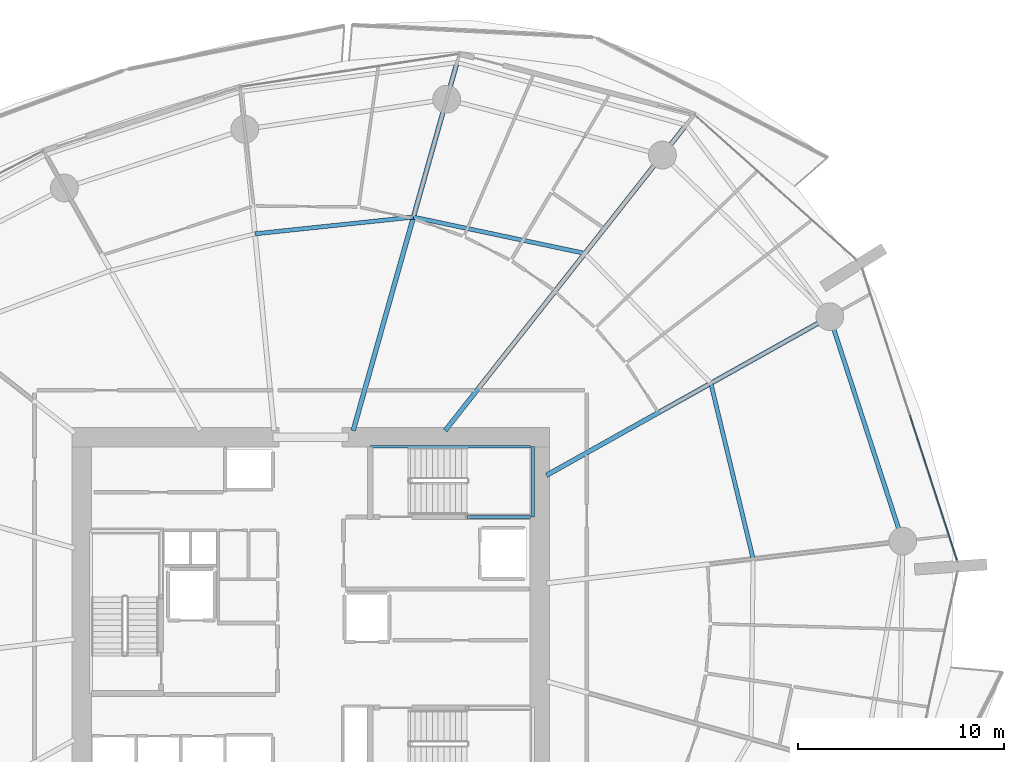
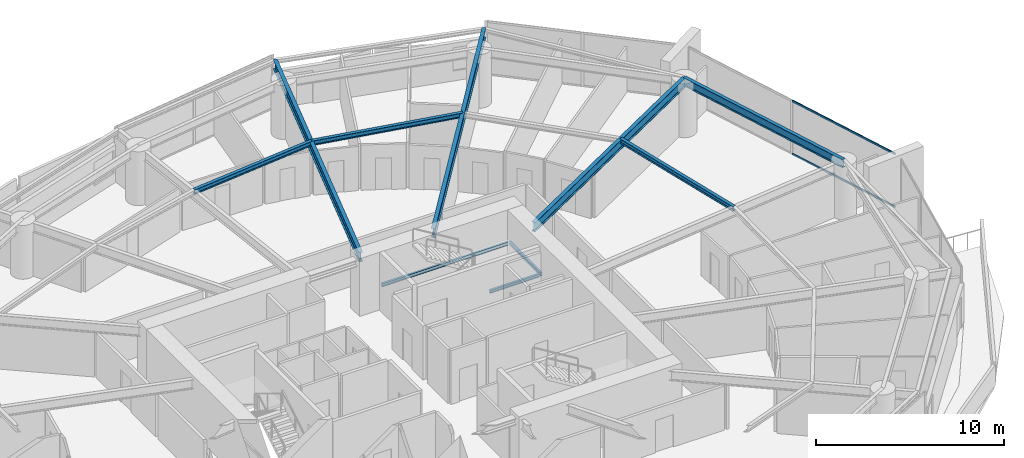
# One storey, part 14 of 31: 10 beams, 2 members, 1 element without a shape of its own.
"""IFC4 building model written with IfcOpenShell, lengths in metres."""

import ifcopenshell
import ifcopenshell.guid

model = None  # the IFC model being written
_history = None  # IfcOwnerHistory: only IFC2X3 demands one
_inside = {}  # id of a spatial element -> (the spatial element, [elements in it])
_under = {}  # id of a project, library or spatial element -> (it, [spatial elements below it])
_declared = {}  # id of a project -> (the project, [libraries it declares])
_typed = {}  # id of a type object -> (the type object, [elements of that type])
_made_of = {}  # id of a material, layer set ... -> (it, [elements and type objects made of it])


def new_model(schema):
    """Start an empty IFC model of exactly this schema.

    Asked for "IFC4X3", IfcOpenShell would pick the latest addendum, in which some entities
    have other attributes; the version numbers below select the first issue.
    IFC2X3 requires an IfcOwnerHistory on every rooted entity: one is made here for all.
    """
    global model, _history
    if schema == "IFC4X3":
        model = ifcopenshell.file(schema_version=(4, 3, 0, 0))
    else:
        model = ifcopenshell.file(schema=schema)
    _inside.clear()
    _under.clear()
    _declared.clear()
    _typed.clear()
    _made_of.clear()
    _history = None
    if model.schema == "IFC2X3":
        org = make("IfcOrganization", Name="unknown")
        user = make(
            "IfcPersonAndOrganization",
            ThePerson=make("IfcPerson", FamilyName="unknown"),
            TheOrganization=org,
        )
        app = make(
            "IfcApplication",
            ApplicationDeveloper=org,
            Version="unknown",
            ApplicationFullName="unknown",
            ApplicationIdentifier="unknown",
        )
        _history = make(
            "IfcOwnerHistory",
            OwningUser=user,
            OwningApplication=app,
            ChangeAction="ADDED",
            CreationDate=0,
        )
    return model


def make(cls, **values):
    """One entity of the class cls with the attributes given. An attribute that is None is left unset."""
    return model.create_entity(
        cls, **{name: value for name, value in values.items() if value is not None}
    )


def rooted(cls, **values):
    """An entity with a GlobalId (a new one), such as an element, a storey or a relation."""
    return make(cls, GlobalId=ifcopenshell.guid.new(), OwnerHistory=_history, **values)


def si_unit(unit_type, name, prefix=None):
    """IfcSIUnit, for example si_unit("LENGTHUNIT", "METRE", prefix="MILLI")."""
    return make("IfcSIUnit", UnitType=unit_type, Prefix=prefix, Name=name)


def assignment(units):
    """IfcUnitAssignment: the units of a project."""
    return None if units is None else make("IfcUnitAssignment", Units=units)


def point(xyz):
    """IfcCartesianPoint."""
    return None if xyz is None else make("IfcCartesianPoint", Coordinates=xyz)


def direction(xyz):
    """IfcDirection."""
    return None if xyz is None else make("IfcDirection", DirectionRatios=xyz)


def frame(location, z_axis=None, x_axis=None):
    """IfcAxis2Placement3D, a coordinate frame: its origin and axes. An axis left out is left unset."""
    return make(
        "IfcAxis2Placement3D",
        Location=point(location),
        Axis=direction(z_axis),
        RefDirection=direction(x_axis),
    )


def frame_2d(location, x_axis=None):
    """IfcAxis2Placement2D, a coordinate frame in the plane: its origin and x axis."""
    return make(
        "IfcAxis2Placement2D", Location=point(location), RefDirection=direction(x_axis)
    )


def origin():
    """The frame at (0, 0, 0) with its axes left unset."""
    return frame((0.0, 0.0, 0.0))


def origin_2d():
    """The frame at (0, 0) in the plane with its x axis left unset."""
    return frame_2d((0.0, 0.0))


def place(relative_to, where):
    """IfcLocalPlacement: puts the frame where relative to a parent placement (None: the world)."""
    return make(
        "IfcLocalPlacement", PlacementRelTo=relative_to, RelativePlacement=where
    )


def context(
    kind, dimensions, precision=None, world=None, true_north=None, identifier=None
):
    """IfcGeometricRepresentationContext, for example the 3D "Model" context."""
    return make(
        "IfcGeometricRepresentationContext",
        ContextIdentifier=identifier,
        ContextType=kind,
        CoordinateSpaceDimension=dimensions,
        Precision=precision,
        WorldCoordinateSystem=world,
        TrueNorth=true_north,
    )


def subcontext(parent, identifier, kind, view, scale=None):
    """IfcGeometricRepresentationSubContext, for example "Body" below "Model"."""
    return make(
        "IfcGeometricRepresentationSubContext",
        ContextIdentifier=identifier,
        ContextType=kind,
        ParentContext=parent,
        TargetScale=scale,
        TargetView=view,
    )


def project(units=None, contexts=None):
    """IfcProject with its units and contexts."""
    return rooted(
        "IfcProject",
        Name="project",
        RepresentationContexts=contexts,
        UnitsInContext=assignment(units),
    )


def spatial(cls, under=None, at=None, **own):
    """A site, building, storey or space (cls), placed at a placement, below another one or the project."""
    s = rooted(cls, ObjectPlacement=at, **own)
    if under is not None:
        _under.setdefault(under.id(), (under, []))[1].append(s)
    return s


def profile(cls, at=None, kind="AREA", **sizes):
    """A parametric profile (cls). Its sizes go by their IFC names, for example OverallWidth=200.0."""
    return make(cls, ProfileType=kind, Position=at, **sizes)


def rectangle(**sizes):
    """IfcRectangleProfileDef."""
    return profile("IfcRectangleProfileDef", **sizes)


def i_section(**sizes):
    """IfcIShapeProfileDef."""
    return profile("IfcIShapeProfileDef", **sizes)


def extrude(swept, where, along, depth):
    """IfcExtrudedAreaSolid: the profile swept, set in the frame where, extruded along a direction by depth."""
    return make(
        "IfcExtrudedAreaSolid",
        SweptArea=swept,
        Position=where,
        ExtrudedDirection=direction(along),
        Depth=depth,
    )


def shape(context_of_items, identifier, shape_type, items):
    """IfcShapeRepresentation: the items that make up one representation, for example the "Body"."""
    return make(
        "IfcShapeRepresentation",
        ContextOfItems=context_of_items,
        RepresentationIdentifier=identifier,
        RepresentationType=shape_type,
        Items=items,
    )


def material(Name=None, Category=None):
    """IfcMaterial."""
    return make("IfcMaterial", Name=Name, Category=Category)


def layer(
    of_material, thickness, ventilated=None, Name=None, Category=None, Priority=None
):
    """IfcMaterialLayer: one layer of a wall or slab, of a material (None: an air gap)."""
    return make(
        "IfcMaterialLayer",
        Material=of_material,
        LayerThickness=thickness,
        IsVentilated=ventilated,
        Name=Name,
        Category=Category,
        Priority=Priority,
    )


def layer_set(layers, Name=None):
    """IfcMaterialLayerSet."""
    return make("IfcMaterialLayerSet", MaterialLayers=layers, LayerSetName=Name)


def material_profile(
    of_material, cross_section, Name=None, Category=None, Priority=None
):
    """IfcMaterialProfile: a cross section and its material."""
    return make(
        "IfcMaterialProfile",
        Name=Name,
        Material=of_material,
        Profile=cross_section,
        Priority=Priority,
        Category=Category,
    )


def profile_set(profiles, Name=None, composite=None):
    """IfcMaterialProfileSet."""
    return make(
        "IfcMaterialProfileSet",
        Name=Name,
        MaterialProfiles=profiles,
        CompositeProfile=composite,
    )


def made_of(thing, what):
    """Note that an element or type object is made of a material, layer set ...; save() writes the relation."""
    if what is not None:
        _made_of.setdefault(what.id(), (what, []))[1].append(thing)
    return thing


def type_object(cls, material=None, **own):
    """A type object (cls), such as IfcWallType, which elements share."""
    return made_of(rooted(cls, **own), material)


def element(
    cls,
    number,
    at=None,
    inside=None,
    cuts=None,
    type_object=None,
    material=None,
    context=None,
    identifier="Body",
    shape_type=None,
    held_by="IfcProductDefinitionShape",
    body=None,
    shapes=None,
    **own,
):
    """One element of the class cls, such as IfcWall. Its Tag is "e" and its number.

    at: its placement. inside: the storey or other place that contains it. cuts: it is an
    opening in that element (IfcRelVoidsElement). A single representation is given by context,
    identifier, shape_type and body (its items); several are given by shapes. held_by: the class
    of the entity that holds the representations. save() writes the other relations.
    """
    e = rooted(cls, Tag="e%d" % number, ObjectPlacement=at, **own)
    if body is not None:
        shapes = [shape(context, identifier, shape_type, body)]
    if shapes is not None:
        e.Representation = make(held_by, Representations=shapes)
    if inside is not None:
        _inside.setdefault(inside.id(), (inside, []))[1].append(e)
    if cuts is not None:
        rooted(
            "IfcRelVoidsElement", RelatingBuildingElement=cuts, RelatedOpeningElement=e
        )
    if type_object is not None:
        _typed.setdefault(type_object.id(), (type_object, []))[1].append(e)
    return made_of(e, material)


def aggregate(whole, parts):
    """IfcRelAggregates: a whole, such as a stair, and the parts it consists of."""
    return rooted("IfcRelAggregates", RelatingObject=whole, RelatedObjects=parts)


def save(model, path):
    """Write the relations noted so far, then the file.

    IfcRelAggregates (storeys below a building ...), IfcRelContainedInSpatialStructure (elements
    in a storey), IfcRelDefinesByType, IfcRelAssociatesMaterial and IfcRelDeclares: one each for
    every whole, place, type object, material and project.
    """
    for whole, parts in _under.values():
        aggregate(whole, parts)
    for where, things in _inside.values():
        rooted(
            "IfcRelContainedInSpatialStructure",
            RelatedElements=things,
            RelatingStructure=where,
        )
    for kind, things in _typed.values():
        rooted("IfcRelDefinesByType", RelatedObjects=things, RelatingType=kind)
    for what, things in _made_of.values():
        rooted("IfcRelAssociatesMaterial", RelatedObjects=things, RelatingMaterial=what)
    for by, libraries in _declared.values():
        rooted("IfcRelDeclares", RelatingContext=by, RelatedDefinitions=libraries)
    model.write(path)


model = new_model("IFC4")

# Units and contexts
model_context = context("Model", 3, precision=1e-05, world=origin(), true_north=direction((0.0, 1.0)))
body_context = subcontext(model_context, "Body", "Model", "MODEL_VIEW")
ifc_project = project(units=[si_unit("LENGTHUNIT", "METRE"), si_unit("AREAUNIT", "SQUARE_METRE"), si_unit("VOLUMEUNIT", "CUBIC_METRE"), si_unit("PLANEANGLEUNIT", "RADIAN"), si_unit("MASSUNIT", "GRAM", prefix="KILO")], contexts=[model_context])

# Site, building, storey
site_placement = place(None, origin())
site = spatial("IfcSite", under=ifc_project, at=site_placement, CompositionType="ELEMENT")
building_placement = place(site_placement, origin())
building = spatial("IfcBuilding", under=site, at=building_placement, Name="Kazma Halo Residences", CompositionType="ELEMENT")
storey_placement = place(building_placement, frame((0.0, 0.0, 52.64990234375)))
storey = spatial("IfcBuildingStorey", under=building, at=storey_placement, Name="L12", CompositionType="ELEMENT", Elevation=52.64990234375)

# Beams
ifc_material_1 = material(Name="Steel S355", Category="steel")
ifc_material_profile_1 = material_profile(ifc_material_1, i_section(OverallWidth=0.22802734375, OverallDepth=0.60791015625, WebThickness=0.01123046875, FlangeThickness=0.017333984375, FilletRadius=0.01806640625, at=origin_2d()), Name="W610x113")
ifc_profile_set_1 = profile_set([ifc_material_profile_1], Name="Steel S355")
beam_type_1 = type_object("IfcBeamType", Name="BM-RAD-W610", PredefinedType="BEAM", material=ifc_profile_set_1)
beam_1_placement = place(storey_placement, frame((59.85009765625, 48.63623046875, 3.196044921875), z_axis=(0.872489859828, 0.48863221803, 0.0), x_axis=(-0.48863221803, 0.872489859828, 0.0)))
element("IfcBeam", 1, at=beam_1_placement, inside=storey, type_object=beam_type_1, Name="L12 radial floor beam 01", PredefinedType="BEAM", context=body_context, shape_type="SweptSolid", body=[
    extrude(i_section(OverallWidth=0.22802734375, OverallDepth=0.60791015625, WebThickness=0.01123046875, FlangeThickness=0.017333984375, FilletRadius=0.01806640625, at=origin_2d()), origin(), (0.0, 0.0, 1.0), 15.71923828125),
])
beam_2_placement = place(storey_placement, frame((54.9375, 50.800048828125, 3.196044921875), z_axis=(0.619092154321, 0.785318345932, 0.0), x_axis=(-0.785318345932, 0.619092154321, 0.0)))
element("IfcBeam", 2, at=beam_2_placement, inside=storey, type_object=beam_type_1, Name="L12 radial floor beam 02", PredefinedType="BEAM", context=body_context, shape_type="SweptSolid", body=[
    extrude(i_section(OverallWidth=0.22802734375, OverallDepth=0.60791015625, WebThickness=0.01123046875, FlangeThickness=0.017333984375, FilletRadius=0.01806640625, at=origin_2d()), origin(), (0.0, 0.0, 1.0), 18.84375),
])
beam_3_placement = place(storey_placement, frame((50.48193359375, 50.800048828125, 3.196044921875), z_axis=(0.271442010129, 0.962454796412, 0.0), x_axis=(-0.962454796412, 0.271442010129, 0.0)))
element("IfcBeam", 3, at=beam_3_placement, inside=storey, type_object=beam_type_1, Name="L12 radial floor beam 03", PredefinedType="BEAM", context=body_context, shape_type="SweptSolid", body=[
    extrude(i_section(OverallWidth=0.22802734375, OverallDepth=0.60791015625, WebThickness=0.01123046875, FlangeThickness=0.017333984375, FilletRadius=0.01806640625, at=origin_2d()), origin(), (0.0, 0.0, 1.0), 18.525390625),
])
ifc_material_profile_2 = material_profile(ifc_material_1, i_section(OverallWidth=0.202880859375, OverallDepth=0.302978515625, WebThickness=0.007568359375, FlangeThickness=0.01318359375, FilletRadius=0.013916015625, at=origin_2d()), Name="W310x60")
ifc_profile_set_2 = profile_set([ifc_material_profile_2], Name="Steel S355")
beam_type_2 = type_object("IfcBeamType", Name="BM-SEC-W310A", PredefinedType="JOIST", material=ifc_profile_set_2)
beam_4_placement = place(storey_placement, frame((61.703857421875, 59.383056640625, 3.3486328125), z_axis=(-0.97831665719, 0.207114746615, 0.0), x_axis=(-0.207114746615, -0.97831665719, 0.0)))
element("IfcBeam", 4, at=beam_4_placement, inside=storey, type_object=beam_type_2, Name="L12 circumferential floor joist 02", PredefinedType="JOIST", context=body_context, shape_type="SweptSolid", body=[
    extrude(i_section(OverallWidth=0.202880859375, OverallDepth=0.302978515625, WebThickness=0.007568359375, FlangeThickness=0.01318359375, FilletRadius=0.013916015625, at=origin_2d()), origin(), (0.0, 0.0, 1.0), 8.489501953125),
])
beam_5_placement = place(storey_placement, frame((53.3984375, 61.141357421875, 3.3486328125), z_axis=(-0.994456114777, -0.10515244069, 0.0), x_axis=(0.10515244069, -0.994456114777, 0.0)))
element("IfcBeam", 5, at=beam_5_placement, inside=storey, type_object=beam_type_2, Name="L12 circumferential floor joist 03", PredefinedType="JOIST", context=body_context, shape_type="SweptSolid", body=[
    extrude(i_section(OverallWidth=0.202880859375, OverallDepth=0.302978515625, WebThickness=0.007568359375, FlangeThickness=0.01318359375, FilletRadius=0.013916015625, at=origin_2d()), origin(), (0.0, 0.0, 1.0), 7.717529296875),
])
beam_6_placement = place(storey_placement, frame((69.853759765625, 44.586669921875, 3.3486328125), z_axis=(-0.234233116199, 0.972180460242, 0.0), x_axis=(-0.972180460242, -0.234233116199, 0.0)))
element("IfcBeam", 6, at=beam_6_placement, inside=storey, type_object=beam_type_2, Name="L12 circumferential floor joist 16", PredefinedType="JOIST", context=body_context, shape_type="SweptSolid", body=[
    extrude(i_section(OverallWidth=0.202880859375, OverallDepth=0.302978515625, WebThickness=0.007568359375, FlangeThickness=0.01318359375, FilletRadius=0.013916015625, at=origin_2d()), origin(), (0.0, 0.0, 1.0), 8.748046875),
])
ifc_material_profile_3 = material_profile(ifc_material_1, i_section(OverallWidth=0.208984375, OverallDepth=0.532958984375, WebThickness=0.01025390625, FlangeThickness=0.015625, FilletRadius=0.01611328125, at=origin_2d()), Name="W530x92")
ifc_profile_set_3 = profile_set([ifc_material_profile_3], Name="Steel S355")
beam_type_3 = type_object("IfcBeamType", Name="BM-SPN-W530", PredefinedType="BEAM", material=ifc_profile_set_3)
beam_7_placement = place(storey_placement, frame((77.097900390625, 45.444091796875, 3.233642578125), z_axis=(-0.309024264898, 0.951054153928, 0.0), x_axis=(-0.951054153928, -0.309024264898, 0.0)))
element("IfcBeam", 7, at=beam_7_placement, inside=storey, type_object=beam_type_3, Name="L12 perimeter ring beam 16", PredefinedType="BEAM", context=body_context, shape_type="SweptSolid", body=[
    extrude(i_section(OverallWidth=0.208984375, OverallDepth=0.532958984375, WebThickness=0.01025390625, FlangeThickness=0.015625, FilletRadius=0.01611328125, at=origin_2d()), origin(), (0.0, 0.0, 1.0), 11.4326171875),
])
ifc_material_profile_4 = material_profile(ifc_material_1, i_section(OverallWidth=0.133056640625, OverallDepth=0.20703125, WebThickness=0.005859375, FlangeThickness=0.00830078125, FilletRadius=0.010009765625, at=origin_2d()), Name="W200x26.6")
ifc_profile_set_4 = profile_set([ifc_material_profile_4], Name="Steel S355")
beam_type_4 = type_object("IfcBeamType", Name="BM-TRIM-W200", PredefinedType="BEAM", material=ifc_profile_set_4)
beam_8_placement = place(storey_placement, frame((51.31005859375, 50.02001953125, 1.570068359375), z_axis=(1.0, 0.0, 0.0), x_axis=(0.0, 1.0, 0.0)))
element("IfcBeam", 8, at=beam_8_placement, inside=storey, type_object=beam_type_4, Name="L12 ST-02 landing north wall ledger", PredefinedType="BEAM", context=body_context, shape_type="SweptSolid", body=[
    extrude(i_section(OverallWidth=0.133056640625, OverallDepth=0.20703125, WebThickness=0.005859375, FlangeThickness=0.00830078125, FilletRadius=0.010009765625, at=origin_2d()), origin(), (0.0, 0.0, 1.0), 7.760009765625),
])
beam_9_placement = place(storey_placement, frame((56.0, 46.6201171875, 1.570068359375), z_axis=(1.0, 0.0, 0.0), x_axis=(0.0, 1.0, 0.0)))
element("IfcBeam", 9, at=beam_9_placement, inside=storey, type_object=beam_type_4, Name="L12 ST-02 landing south wall ledger", PredefinedType="BEAM", context=body_context, shape_type="SweptSolid", body=[
    extrude(i_section(OverallWidth=0.133056640625, OverallDepth=0.20703125, WebThickness=0.005859375, FlangeThickness=0.00830078125, FilletRadius=0.010009765625, at=origin_2d()), origin(), (0.0, 0.0, 1.0), 3.070068359375),
])
beam_10_placement = place(storey_placement, frame((59.18994140625, 46.6201171875, 1.570068359375), z_axis=(0.0, 1.0, 0.0), x_axis=(-1.0, 0.0, 0.0)))
element("IfcBeam", 10, at=beam_10_placement, inside=storey, type_object=beam_type_4, Name="L12 ST-02 landing end wall ledger", PredefinedType="BEAM", context=body_context, shape_type="SweptSolid", body=[
    extrude(i_section(OverallWidth=0.133056640625, OverallDepth=0.20703125, WebThickness=0.005859375, FlangeThickness=0.00830078125, FilletRadius=0.010009765625, at=origin_2d()), origin(), (0.0, 0.0, 1.0), 3.39990234375),
])

# Curtain wall, members
ifc_material_2 = material(Name="Aluminium AW-6063 T6 and Triple-Silver Low-E Glass", Category="aluminium")
ifc_layer = layer(ifc_material_2, 0.159912109375)
ifc_layer_set = layer_set([ifc_layer], Name="Aluminium AW-6063 T6 and Triple-Silver Low-E Glass")
curtain_wall_type = type_object("IfcCurtainWallType", Name="CW-SYS-2", PredefinedType="NOTDEFINED", material=ifc_layer_set)
curtain_wall_placement = place(storey_placement, origin())
curtain_wall = element("IfcCurtainWall", 11, at=curtain_wall_placement, inside=storey, type_object=curtain_wall_type, Name="L12 unitised curtain wall B16", PredefinedType="NOTDEFINED")
ifc_material_3 = material(Name="Aluminium AW-6063 T6", Category="aluminium")
ifc_material_profile_5 = material_profile(ifc_material_3, rectangle(XDim=0.06005859375, YDim=0.1201171875, at=origin_2d()), Name="CWT-60x120")
ifc_profile_set_5 = profile_set([ifc_material_profile_5], Name="Aluminium AW-6063 T6")
member_type = type_object("IfcMemberType", Name="CW-SYS-2-TRN", PredefinedType="USERDEFINED", material=ifc_profile_set_5)
member_1_placement = place(storey_placement, frame((79.72900390625, 44.52783203125, 0.030029296875), z_axis=(-0.309034393795, 0.951050862705, 0.0), x_axis=(-0.951050862705, -0.309034393795, 0.0)))
member_1 = element("IfcMember", 12, at=member_1_placement, type_object=member_type, Name="CWS-2 transom 1.1", ObjectType="TRANSOM", PredefinedType="USERDEFINED", context=body_context, shape_type="SweptSolid", body=[
    extrude(rectangle(XDim=0.06005859375, YDim=0.1201171875, at=origin_2d()), origin(), (0.0, 0.0, 1.0), 7.370849609375),
])
member_2_placement = place(storey_placement, frame((79.72900390625, 44.52783203125, 3.47021484375), z_axis=(-0.309034393795, 0.951050862705, 0.0), x_axis=(-0.951050862705, -0.309034393795, 0.0)))
member_2 = element("IfcMember", 13, at=member_2_placement, type_object=member_type, Name="CWS-2 transom 1.2", ObjectType="TRANSOM", PredefinedType="USERDEFINED", context=body_context, shape_type="SweptSolid", body=[
    extrude(rectangle(XDim=0.06005859375, YDim=0.1201171875, at=origin_2d()), origin(), (0.0, 0.0, 1.0), 7.370849609375),
])
aggregate(curtain_wall, [member_1, member_2])

save(model, "model.ifc")
